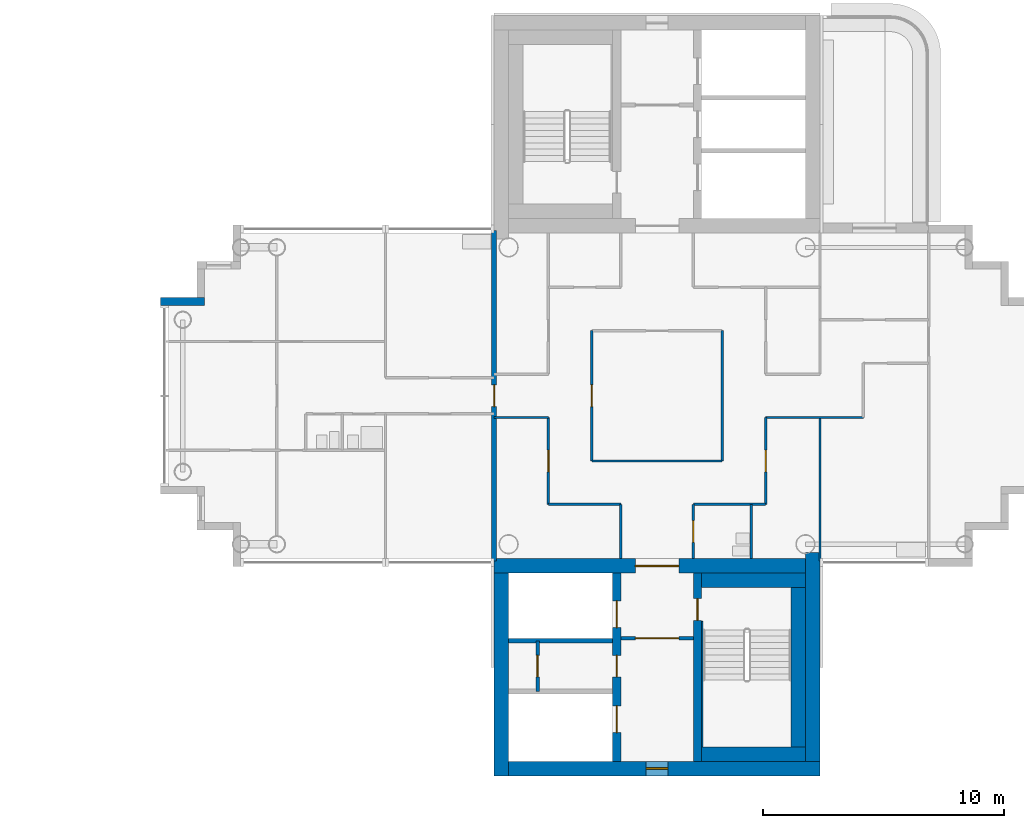
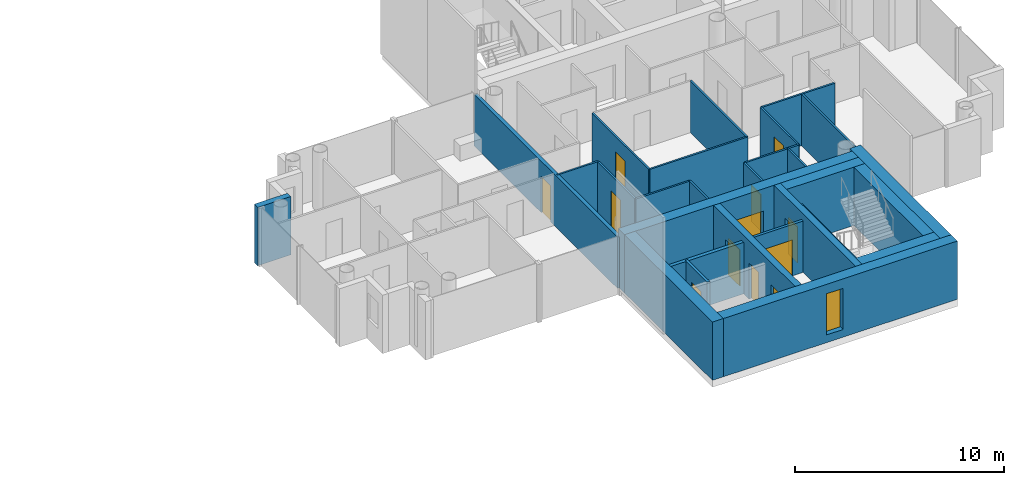
# One storey, part 9 of 18: 28 walls, 12 doors, 1 window, 13 openings.
"""IFC4 building model written with IfcOpenShell, lengths in metres."""

from ifc_helpers import new_model, si_unit, direction, frame, frame_2d, origin, place, context, subcontext, project, spatial, rectangle, extrude, material, layer, layer_set, type_object, element, fill, save


model = new_model("IFC4")

# Units and contexts
model_context = context("Model", 3, precision=1e-05, world=origin(), true_north=direction((0.0, 1.0)))
body_context = subcontext(model_context, "Body", "Model", "MODEL_VIEW")
ifc_project = project(units=[si_unit("LENGTHUNIT", "METRE"), si_unit("AREAUNIT", "SQUARE_METRE"), si_unit("VOLUMEUNIT", "CUBIC_METRE"), si_unit("PLANEANGLEUNIT", "RADIAN"), si_unit("MASSUNIT", "GRAM", prefix="KILO")], contexts=[model_context])

# Site, building, storey
site_placement = place(None, origin())
site = spatial("IfcSite", under=ifc_project, at=site_placement, CompositionType="ELEMENT")
building_placement = place(site_placement, origin())
building = spatial("IfcBuilding", under=site, at=building_placement, Name="Ipe Terrace Towers", CompositionType="ELEMENT")
storey_placement = place(building_placement, frame((0.0, 0.0, 219.800048828125)))
storey = spatial("IfcBuildingStorey", under=building, at=storey_placement, Name="L61", CompositionType="ELEMENT", Elevation=219.800048828125)

# Walls
ifc_material_1 = material(Name="Concrete C40/50 with buff precast cladding", Category="concrete")
ifc_layer_1 = layer(ifc_material_1, 0.320068359375)
ifc_layer_set_1 = layer_set([ifc_layer_1], Name="BUFF CLADDING WALL 320")
wall_type_1 = type_object("IfcWallType", Name="BUFF CLADDING WALL 320", PredefinedType="STANDARD", material=ifc_layer_set_1)
wall_1_placement = place(storey_placement, frame((17.25, 3.909912109375, -0.300048828125), z_axis=(0.0, 0.0, 1.0), x_axis=(-1.0, 0.0, 0.0)))
element("IfcWall", 1, at=wall_1_placement, inside=storey, type_object=wall_type_1, Name="T2-W-L61-25a wall", PredefinedType="STANDARD", context=body_context, shape_type="SweptSolid", body=[
    extrude(rectangle(XDim=1.820068359375, YDim=0.320068359375, at=frame_2d((0.91015625, 0.0))), origin(), (0.0, 0.0, 1.0), 3.39990234375),
])
ifc_material_2 = material(Name="Gypsum board partition", Category="plasterboard")
ifc_layer_2 = layer(ifc_material_2, 0.10009765625)
ifc_layer_set_2 = layer_set([ifc_layer_2], Name="Gypsum board partition 100 mm")
wall_type_2 = type_object("IfcWallType", Name="Gypsum board partition 100 mm", PredefinedType="PARTITIONING", material=ifc_layer_set_2)
for number, where, z_axis, x_axis, name in (
    (2, (40.5, -4.5, 0.0), (0.0, 0.0, 1.0), (-1.0, 0.0, 0.0), "Gypsum board partition T2 L61 W01"),
    (3, (34.5, -4.5, 0.0), (0.0, 0.0, 1.0), (-1.0, 0.0, 0.0), "Gypsum board partition T2 L61 W02"),
):
    element("IfcWall", number, at=place(storey_placement, frame(where, z_axis=z_axis, x_axis=x_axis)), inside=storey, type_object=wall_type_2, Name=name, PredefinedType="PARTITIONING", context=body_context, shape_type="SweptSolid", body=[
        extrude(rectangle(XDim=3.0, YDim=0.10009765625, at=frame_2d((1.5, 0.0))), origin(), (0.0, 0.0, 1.0), 3.0),
    ])
wall_2_placement = place(storey_placement, frame((38.699951171875, -2.699951171875, 0.0), z_axis=(0.0, 0.0, 1.0), x_axis=(-1.0, 0.0, 0.0)))
element("IfcWall", 4, at=wall_2_placement, inside=storey, type_object=wall_type_2, Name="Gypsum board partition T2 L61 W03", PredefinedType="PARTITIONING", context=body_context, shape_type="SweptSolid", body=[
    extrude(rectangle(XDim=5.39990234375, YDim=0.10009765625, at=frame_2d((2.699951171875, 0.0))), origin(), (0.0, 0.0, 1.0), 3.0),
])
wall_3_placement = place(storey_placement, frame((44.550048828125, -0.89990234375, 0.0), z_axis=(0.0, 0.0, 1.0), x_axis=(-1.0, 0.0, 0.0)))
element("IfcWall", 5, at=wall_3_placement, inside=storey, type_object=wall_type_2, Name="Gypsum board partition T2 L61 W05", PredefinedType="PARTITIONING", context=body_context, shape_type="SweptSolid", body=[
    extrude(rectangle(XDim=4.050048828125, YDim=0.10009765625, at=frame_2d((2.02490234375, 0.0))), origin(), (0.0, 0.0, 1.0), 3.0),
])
wall_4_placement = place(storey_placement, frame((31.5, -0.89990234375, 0.0), z_axis=(0.0, 0.0, 1.0), x_axis=(-1.0, 0.0, 0.0)))
element("IfcWall", 6, at=wall_4_placement, inside=storey, type_object=wall_type_2, Name="Gypsum board partition T2 L61 W06", PredefinedType="PARTITIONING", context=body_context, shape_type="SweptSolid", body=[
    extrude(rectangle(XDim=2.25, YDim=0.10009765625, at=frame_2d((1.125, 0.0))), origin(), (0.0, 0.0, 1.0), 3.0),
])
wall_5_placement = place(storey_placement, frame((42.75, -6.85009765625, 0.0), z_axis=(0.0, 0.0, 1.0), x_axis=(0.0, 1.0, 0.0)))
element("IfcWall", 7, at=wall_5_placement, inside=storey, type_object=wall_type_2, Name="Gypsum board partition T2 L61 W19", PredefinedType="PARTITIONING", context=body_context, shape_type="SweptSolid", body=[
    extrude(rectangle(XDim=5.9501953125, YDim=0.10009765625, at=frame_2d((2.97509765625, 0.0))), origin(), (0.0, 0.0, 1.0), 3.0),
])

# Wall, opening, door
wall_6_placement = place(storey_placement, frame((40.5, -4.5, 0.0), z_axis=(0.0, 0.0, 1.0), x_axis=(0.0, 1.0, 0.0)))
wall_6 = element("IfcWall", 8, at=wall_6_placement, inside=storey, type_object=wall_type_2, Name="Gypsum board partition T2 L61 W21", PredefinedType="PARTITIONING", context=body_context, shape_type="SweptSolid", body=[
    extrude(rectangle(XDim=3.60009765625, YDim=0.10009765625, at=frame_2d((1.800048828125, 0.0))), origin(), (0.0, 0.0, 1.0), 3.0),
])
opening_1_placement = place(wall_6_placement, frame((1.35009765625, 0.0, 0.0)))
opening_1 = element("IfcOpeningElement", 9, at=opening_1_placement, cuts=wall_6, Name="Opening T2-Z4F-07", PredefinedType="OPENING", context=body_context, shape_type="SweptSolid", body=[
    extrude(rectangle(XDim=0.89990234375, YDim=2.10009765625, at=frame_2d((0.449951171875, 1.050048828125))), frame((0.0, 0.06005859375, 0.0), z_axis=(0.0, -1.0, 0.0), x_axis=(1.0, 0.0, 0.0)), (0.0, 0.0, 1.0), 0.1201171875),
])
ifc_material_3 = material(Name="Timber door leaf", Category="wood")
door_type_1 = type_object("IfcDoorType", Name="Lounge door 900 x 2100", OperationType="NOTDEFINED", PredefinedType="DOOR", material=ifc_material_3)
door_1_placement = place(opening_1_placement, origin())
door_1 = element("IfcDoor", 10, at=door_1_placement, inside=storey, type_object=door_type_1, Name="Lounge door T2-Z4F-07", OperationType="SINGLE_SWING_LEFT", OverallHeight=2.10009765625, OverallWidth=0.89990234375, PredefinedType="DOOR", context=body_context, shape_type="SweptSolid", body=[
    extrude(rectangle(XDim=0.89990234375, YDim=2.10009765625, at=frame_2d((0.449951171875, 1.050048828125))), frame((0.0, 0.02490234375, 0.0), z_axis=(0.0, -1.0, 0.0), x_axis=(1.0, 0.0, 0.0)), (0.0, 0.0, 1.0), 0.050048828125),
])
fill(opening_1, door_1)

# Walls
wall_7_placement = place(storey_placement, frame((39.89990234375, -6.75, 0.0), z_axis=(0.0, 0.0, 1.0), x_axis=(0.0, 1.0, 0.0)))
element("IfcWall", 11, at=wall_7_placement, inside=storey, type_object=wall_type_2, Name="Gypsum board partition T2 L61 W23", PredefinedType="PARTITIONING", context=body_context, shape_type="SweptSolid", body=[
    extrude(rectangle(XDim=2.25, YDim=0.10009765625, at=frame_2d((1.125, 0.0))), origin(), (0.0, 0.0, 1.0), 3.0),
])
wall_8_placement = place(storey_placement, frame((38.699951171875, -2.699951171875, 0.0), z_axis=(0.0, 0.0, 1.0), x_axis=(0.0, 1.0, 0.0)))
element("IfcWall", 12, at=wall_8_placement, inside=storey, type_object=wall_type_2, Name="Gypsum board partition T2 L61 W24", PredefinedType="PARTITIONING", context=body_context, shape_type="SweptSolid", body=[
    extrude(rectangle(XDim=5.39990234375, YDim=0.10009765625, at=frame_2d((2.699951171875, 0.0))), origin(), (0.0, 0.0, 1.0), 3.0),
])

# Wall, opening, door
wall_9_placement = place(storey_placement, frame((37.5, -6.75, 0.0), z_axis=(0.0, 0.0, 1.0), x_axis=(0.0, 1.0, 0.0)))
wall_9 = element("IfcWall", 13, at=wall_9_placement, inside=storey, type_object=wall_type_2, Name="Gypsum board partition T2 L61 W25", PredefinedType="PARTITIONING", context=body_context, shape_type="SweptSolid", body=[
    extrude(rectangle(XDim=2.25, YDim=0.10009765625, at=frame_2d((1.125, 0.0))), origin(), (0.0, 0.0, 1.0), 3.0),
])
opening_2_placement = place(wall_9_placement, frame((0.675048828125, 0.0, 0.0)))
opening_2 = element("IfcOpeningElement", 14, at=opening_2_placement, cuts=wall_9, Name="Opening T2-Z4F-03", PredefinedType="OPENING", context=body_context, shape_type="SweptSolid", body=[
    extrude(rectangle(XDim=0.89990234375, YDim=2.10009765625, at=frame_2d((0.449951171875, 1.050048828125))), frame((0.0, 0.06005859375, 0.0), z_axis=(0.0, -1.0, 0.0), x_axis=(1.0, 0.0, 0.0)), (0.0, 0.0, 1.0), 0.1201171875),
])
ifc_material_4 = material(Name="Timber door leaf", Category="wood")
door_type_2 = type_object("IfcDoorType", Name="Bathroom door 900 x 2100", OperationType="NOTDEFINED", PredefinedType="DOOR", material=ifc_material_4)
door_2_placement = place(opening_2_placement, origin())
door_2 = element("IfcDoor", 15, at=door_2_placement, inside=storey, type_object=door_type_2, Name="Bathroom door T2-Z4F-03", OperationType="SINGLE_SWING_RIGHT", OverallHeight=2.10009765625, OverallWidth=0.89990234375, PredefinedType="DOOR", context=body_context, shape_type="SweptSolid", body=[
    extrude(rectangle(XDim=0.89990234375, YDim=2.10009765625, at=frame_2d((0.449951171875, 1.050048828125))), frame((0.0, 0.02490234375, 0.0), z_axis=(0.0, -1.0, 0.0), x_axis=(1.0, 0.0, 0.0)), (0.0, 0.0, 1.0), 0.050048828125),
])
fill(opening_2, door_2)

# Wall
wall_10_placement = place(storey_placement, frame((34.5, -6.75, 0.0), z_axis=(0.0, 0.0, 1.0), x_axis=(0.0, 1.0, 0.0)))
element("IfcWall", 16, at=wall_10_placement, inside=storey, type_object=wall_type_2, Name="Gypsum board partition T2 L61 W27", PredefinedType="PARTITIONING", context=body_context, shape_type="SweptSolid", body=[
    extrude(rectangle(XDim=2.25, YDim=0.10009765625, at=frame_2d((1.125, 0.0))), origin(), (0.0, 0.0, 1.0), 3.0),
])

# Wall, opening, door
wall_11_placement = place(storey_placement, frame((33.300048828125, -2.699951171875, 0.0), z_axis=(0.0, 0.0, 1.0), x_axis=(0.0, 1.0, 0.0)))
wall_11 = element("IfcWall", 17, at=wall_11_placement, inside=storey, type_object=wall_type_2, Name="Gypsum board partition T2 L61 W29", PredefinedType="PARTITIONING", context=body_context, shape_type="SweptSolid", body=[
    extrude(rectangle(XDim=5.39990234375, YDim=0.10009765625, at=frame_2d((2.699951171875, 0.0))), origin(), (0.0, 0.0, 1.0), 3.0),
])
opening_3_placement = place(wall_11_placement, frame((2.25, 0.0, 0.0)))
opening_3 = element("IfcOpeningElement", 18, at=opening_3_placement, cuts=wall_11, Name="Opening T2-Z4F-01", PredefinedType="OPENING", context=body_context, shape_type="SweptSolid", body=[
    extrude(rectangle(XDim=0.89990234375, YDim=2.10009765625, at=frame_2d((0.449951171875, 1.050048828125))), frame((0.0, 0.06005859375, 0.0), z_axis=(0.0, -1.0, 0.0), x_axis=(1.0, 0.0, 0.0)), (0.0, 0.0, 1.0), 0.1201171875),
])
door_3_placement = place(opening_3_placement, origin())
door_3 = element("IfcDoor", 19, at=door_3_placement, inside=storey, type_object=door_type_1, Name="Lounge door T2-Z4F-01", OperationType="SINGLE_SWING_RIGHT", OverallHeight=2.10009765625, OverallWidth=0.89990234375, PredefinedType="DOOR", context=body_context, shape_type="SweptSolid", body=[
    extrude(rectangle(XDim=0.89990234375, YDim=2.10009765625, at=frame_2d((0.449951171875, 1.050048828125))), frame((0.0, 0.02490234375, 0.0), z_axis=(0.0, -1.0, 0.0), x_axis=(1.0, 0.0, 0.0)), (0.0, 0.0, 1.0), 0.050048828125),
])
fill(opening_3, door_3)

wall_12_placement = place(storey_placement, frame((31.5, -4.5, 0.0), z_axis=(0.0, 0.0, 1.0), x_axis=(0.0, 1.0, 0.0)))
wall_12 = element("IfcWall", 20, at=wall_12_placement, inside=storey, type_object=wall_type_2, Name="Gypsum board partition T2 L61 W30", PredefinedType="PARTITIONING", context=body_context, shape_type="SweptSolid", body=[
    extrude(rectangle(XDim=3.60009765625, YDim=0.10009765625, at=frame_2d((1.800048828125, 0.0))), origin(), (0.0, 0.0, 1.0), 3.0),
])
opening_4_placement = place(wall_12_placement, frame((1.35009765625, 0.0, 0.0)))
opening_4 = element("IfcOpeningElement", 21, at=opening_4_placement, cuts=wall_12, Name="Opening T2-Z4F-06", PredefinedType="OPENING", context=body_context, shape_type="SweptSolid", body=[
    extrude(rectangle(XDim=0.89990234375, YDim=2.10009765625, at=frame_2d((0.449951171875, 1.050048828125))), frame((0.0, 0.06005859375, 0.0), z_axis=(0.0, -1.0, 0.0), x_axis=(1.0, 0.0, 0.0)), (0.0, 0.0, 1.0), 0.1201171875),
])
door_4_placement = place(opening_4_placement, origin())
door_4 = element("IfcDoor", 22, at=door_4_placement, inside=storey, type_object=door_type_1, Name="Lounge door T2-Z4F-06", OperationType="SINGLE_SWING_LEFT", OverallHeight=2.10009765625, OverallWidth=0.89990234375, PredefinedType="DOOR", context=body_context, shape_type="SweptSolid", body=[
    extrude(rectangle(XDim=0.89990234375, YDim=2.10009765625, at=frame_2d((0.449951171875, 1.050048828125))), frame((0.0, 0.02490234375, 0.0), z_axis=(0.0, -1.0, 0.0), x_axis=(1.0, 0.0, 0.0)), (0.0, 0.0, 1.0), 0.050048828125),
])
fill(opening_4, door_4)

ifc_material_5 = material(Name="Gypsum board partition", Category="plasterboard")
ifc_layer_3 = layer(ifc_material_5, 0.14990234375)
ifc_layer_set_3 = layer_set([ifc_layer_3], Name="Gypsum board partition 150 mm")
wall_type_3 = type_object("IfcWallType", Name="Gypsum board partition 150 mm", PredefinedType="PARTITIONING", material=ifc_layer_set_3)
wall_13_placement = place(storey_placement, frame((34.5, -10.050048828125, 0.0), z_axis=(0.0, 0.0, 1.0), x_axis=(1.0, 0.0, 0.0)))
wall_13 = element("IfcWall", 23, at=wall_13_placement, inside=storey, type_object=wall_type_3, Name="Gypsum board partition T2 L61 t2c2-lobby-wall", PredefinedType="PARTITIONING", context=body_context, shape_type="SweptSolid", body=[
    extrude(rectangle(XDim=3.0, YDim=0.14990234375, at=frame_2d((1.5, 0.0))), origin(), (0.0, 0.0, 1.0), 3.0),
])
opening_5_placement = place(wall_13_placement, frame((0.60009765625, 0.0, 0.0)))
opening_5 = element("IfcOpeningElement", 24, at=opening_5_placement, cuts=wall_13, Name="Opening T2C2-VD", PredefinedType="OPENING", context=body_context, shape_type="SweptSolid", body=[
    extrude(rectangle(XDim=1.800048828125, YDim=2.10009765625, at=frame_2d((0.89990234375, 1.050048828125))), frame((0.0, 0.0849609375, 0.0), z_axis=(0.0, -1.0, 0.0), x_axis=(1.0, 0.0, 0.0)), (0.0, 0.0, 1.0), 0.169921875),
])
ifc_material_6 = material(Name="Fire-rated timber door leaf", Category="wood")
door_type_3 = type_object("IfcDoorType", Name="Lobby door 1800 x 2100 FD60", OperationType="NOTDEFINED", PredefinedType="DOOR", material=ifc_material_6)
door_5_placement = place(opening_5_placement, origin())
door_5 = element("IfcDoor", 25, at=door_5_placement, inside=storey, type_object=door_type_3, Name="Lobby door T2C2-VD", OperationType="SINGLE_SWING_LEFT", OverallHeight=2.10009765625, OverallWidth=1.800048828125, PredefinedType="DOOR", context=body_context, shape_type="SweptSolid", body=[
    extrude(rectangle(XDim=1.800048828125, YDim=2.10009765625, at=frame_2d((0.89990234375, 1.050048828125))), frame((0.0, 0.02490234375, 0.0), z_axis=(0.0, -1.0, 0.0), x_axis=(1.0, 0.0, 0.0)), (0.0, 0.0, 1.0), 0.050048828125),
])
fill(opening_5, door_5)

wall_14_placement = place(storey_placement, frame((31.050048828125, -10.14990234375, 0.0), z_axis=(0.0, 0.0, 1.0), x_axis=(0.0, -1.0, 0.0)))
wall_14 = element("IfcWall", 26, at=wall_14_placement, inside=storey, type_object=wall_type_3, Name="Gypsum board partition T2 L61 t2c2-q-back", PredefinedType="PARTITIONING", context=body_context, shape_type="SweptSolid", body=[
    extrude(rectangle(XDim=2.10009765625, YDim=0.14990234375, at=frame_2d((1.050048828125, 0.0))), origin(), (0.0, 0.0, 1.0), 3.0),
])
opening_6_placement = place(wall_14_placement, frame((0.60009765625, 0.0, 0.0)))
opening_6 = element("IfcOpeningElement", 27, at=opening_6_placement, cuts=wall_14, Name="Opening T2C2-RB", PredefinedType="OPENING", context=body_context, shape_type="SweptSolid", body=[
    extrude(rectangle(XDim=0.89990234375, YDim=2.10009765625, at=frame_2d((0.449951171875, 1.050048828125))), frame((0.0, 0.0849609375, 0.0), z_axis=(0.0, -1.0, 0.0), x_axis=(1.0, 0.0, 0.0)), (0.0, 0.0, 1.0), 0.169921875),
])
ifc_material_7 = material(Name="Fire-rated timber door leaf", Category="wood")
door_type_4 = type_object("IfcDoorType", Name="Service door 900 x 2100 FD60", OperationType="NOTDEFINED", PredefinedType="DOOR", material=ifc_material_7)
door_6_placement = place(opening_6_placement, origin())
door_6 = element("IfcDoor", 28, at=door_6_placement, inside=storey, type_object=door_type_4, Name="Service door T2C2-RB", OperationType="SINGLE_SWING_LEFT", OverallHeight=2.10009765625, OverallWidth=0.89990234375, PredefinedType="DOOR", context=body_context, shape_type="SweptSolid", body=[
    extrude(rectangle(XDim=0.89990234375, YDim=2.10009765625, at=frame_2d((0.449951171875, 1.050048828125))), frame((0.0, 0.02490234375, 0.0), z_axis=(0.0, -1.0, 0.0), x_axis=(1.0, 0.0, 0.0)), (0.0, 0.0, 1.0), 0.050048828125),
])
fill(opening_6, door_6)

# Wall
ifc_material_8 = material(Name="Gypsum board party wall", Category="plasterboard")
ifc_layer_4 = layer(ifc_material_8, 0.199951171875)
ifc_layer_set_4 = layer_set([ifc_layer_4], Name="Gypsum board party wall 200 mm")
wall_type_4 = type_object("IfcWallType", Name="Gypsum board party wall 200 mm", PredefinedType="SOLIDWALL", material=ifc_layer_set_4)
wall_15_placement = place(storey_placement, frame((29.85009765625, -10.14990234375, 0.0), z_axis=(0.0, 0.0, 1.0), x_axis=(1.0, 0.0, 0.0)))
element("IfcWall", 29, at=wall_15_placement, inside=storey, type_object=wall_type_4, Name="Gypsum board party wall T2 L61 t2c2-shaft-div1", PredefinedType="SOLIDWALL", context=body_context, shape_type="SweptSolid", body=[
    extrude(rectangle(XDim=4.2998046875, YDim=0.199951171875, at=frame_2d((2.14990234375, 0.0))), origin(), (0.0, 0.0, 1.0), 3.0),
])

# Wall, opening, door
wall_16_placement = place(storey_placement, frame((29.25, -6.85009765625, 0.0), z_axis=(0.0, 0.0, 1.0), x_axis=(0.0, 1.0, 0.0)))
wall_16 = element("IfcWall", 30, at=wall_16_placement, inside=storey, type_object=wall_type_4, Name="Gypsum board party wall T2 L61 W32", PredefinedType="SOLIDWALL", context=body_context, shape_type="SweptSolid", body=[
    extrude(rectangle(XDim=13.7001953125, YDim=0.199951171875, at=frame_2d((6.85009765625, 0.0))), origin(), (0.0, 0.0, 1.0), 3.0),
])
opening_7_placement = place(wall_16_placement, frame((6.39990234375, 0.0, 0.0)))
opening_7 = element("IfcOpeningElement", 31, at=opening_7_placement, cuts=wall_16, Name="Opening T2-Z4F-12", PredefinedType="OPENING", context=body_context, shape_type="SweptSolid", body=[
    extrude(rectangle(XDim=0.89990234375, YDim=2.10009765625, at=frame_2d((0.449951171875, 1.050048828125))), frame((0.0, 0.10986328125, 0.0), z_axis=(0.0, -1.0, 0.0), x_axis=(1.0, 0.0, 0.0)), (0.0, 0.0, 1.0), 0.219970703125),
])
ifc_material_9 = material(Name="Fire-rated timber door leaf", Category="wood")
door_type_5 = type_object("IfcDoorType", Name="Flat entrance door 900 x 2100 FD30S", OperationType="NOTDEFINED", PredefinedType="DOOR", material=ifc_material_9)
door_7_placement = place(opening_7_placement, origin())
door_7 = element("IfcDoor", 32, at=door_7_placement, inside=storey, type_object=door_type_5, Name="Flat entrance door T2-Z4F-12", OperationType="SINGLE_SWING_LEFT", OverallHeight=2.10009765625, OverallWidth=0.89990234375, PredefinedType="DOOR", context=body_context, shape_type="SweptSolid", body=[
    extrude(rectangle(XDim=0.89990234375, YDim=2.10009765625, at=frame_2d((0.449951171875, 1.050048828125))), frame((0.0, 0.02490234375, 0.0), z_axis=(0.0, -1.0, 0.0), x_axis=(1.0, 0.0, 0.0)), (0.0, 0.0, 1.0), 0.050048828125),
])
fill(opening_7, door_7)

# Wall, openings, doors
ifc_material_10 = material(Name="Concrete C40/50", Category="concrete")
ifc_layer_5 = layer(ifc_material_10, 0.35009765625)
ifc_layer_set_5 = layer_set([ifc_layer_5], Name="RW350 CORE SPINE WALL 350 C40-50")
wall_type_5 = type_object("IfcWallType", Name="RW350 CORE SPINE WALL 350 C40-50", PredefinedType="SHEAR", material=ifc_layer_set_5)
wall_17_placement = place(storey_placement, frame((34.324951171875, -15.14990234375, 0.0), z_axis=(0.0, 0.0, 1.0), x_axis=(0.0, 1.0, 0.0)))
wall_17 = element("IfcWall", 33, at=wall_17_placement, inside=storey, type_object=wall_type_5, Name="Core spine wall T2-C2-Z4-SW1", PredefinedType="SHEAR", context=body_context, shape_type="SweptSolid", body=[
    extrude(rectangle(XDim=7.7998046875, YDim=0.35009765625, at=frame_2d((3.89990234375, 0.0))), origin(), (0.0, 0.0, 1.0), 3.39990234375),
])
opening_8_placement = place(wall_17_placement, frame((5.550048828125, 0.0, 0.0)))
opening_8 = element("IfcOpeningElement", 34, at=opening_8_placement, cuts=wall_17, Name="Opening T2C2-LD1", PredefinedType="OPENING", context=body_context, shape_type="SweptSolid", body=[
    extrude(rectangle(XDim=1.10009765625, YDim=2.10009765625, at=frame_2d((0.550048828125, 1.050048828125))), frame((0.0, 0.18505859375, 0.0), z_axis=(0.0, -1.0, 0.0), x_axis=(1.0, 0.0, 0.0)), (0.0, 0.0, 1.0), 0.3701171875),
])
opening_9_placement = place(wall_17_placement, frame((1.199951171875, 0.0, 0.0)))
opening_9 = element("IfcOpeningElement", 35, at=opening_9_placement, cuts=wall_17, Name="Opening T2C2-LD3", PredefinedType="OPENING", context=body_context, shape_type="SweptSolid", body=[
    extrude(rectangle(XDim=1.10009765625, YDim=2.10009765625, at=frame_2d((0.550048828125, 1.050048828125))), frame((0.0, 0.18505859375, 0.0), z_axis=(0.0, -1.0, 0.0), x_axis=(1.0, 0.0, 0.0)), (0.0, 0.0, 1.0), 0.3701171875),
])
opening_10_placement = place(wall_17_placement, frame((3.5, 0.0, 0.0)))
opening_10 = element("IfcOpeningElement", 36, at=opening_10_placement, cuts=wall_17, Name="Opening T2C2-R1-FD30S", PredefinedType="OPENING", context=body_context, shape_type="SweptSolid", body=[
    extrude(rectangle(XDim=0.89990234375, YDim=2.10009765625, at=frame_2d((0.449951171875, 1.050048828125))), frame((0.0, 0.18505859375, 0.0), z_axis=(0.0, -1.0, 0.0), x_axis=(1.0, 0.0, 0.0)), (0.0, 0.0, 1.0), 0.3701171875),
])
ifc_material_11 = material(Name="Fire-rated timber door leaf", Category="wood")
door_type_6 = type_object("IfcDoorType", Name="Sliding door 1100 x 2100 FD60", OperationType="SLIDING_TO_LEFT", PredefinedType="DOOR", material=ifc_material_11)
door_8_placement = place(opening_8_placement, origin())
door_8 = element("IfcDoor", 37, at=door_8_placement, inside=storey, type_object=door_type_6, Name="Sliding door T2C2-LD1", OperationType="SLIDING_TO_LEFT", OverallHeight=2.10009765625, OverallWidth=1.10009765625, PredefinedType="DOOR", context=body_context, shape_type="SweptSolid", body=[
    extrude(rectangle(XDim=1.10009765625, YDim=2.10009765625, at=frame_2d((0.550048828125, 1.050048828125))), frame((0.0, 0.02490234375, 0.0), z_axis=(0.0, -1.0, 0.0), x_axis=(1.0, 0.0, 0.0)), (0.0, 0.0, 1.0), 0.050048828125),
])
fill(opening_8, door_8)
door_9_placement = place(opening_9_placement, origin())
door_9 = element("IfcDoor", 38, at=door_9_placement, inside=storey, type_object=door_type_6, Name="Sliding door T2C2-LD3", OperationType="SLIDING_TO_LEFT", OverallHeight=2.10009765625, OverallWidth=1.10009765625, PredefinedType="DOOR", context=body_context, shape_type="SweptSolid", body=[
    extrude(rectangle(XDim=1.10009765625, YDim=2.10009765625, at=frame_2d((0.550048828125, 1.050048828125))), frame((0.0, 0.02490234375, 0.0), z_axis=(0.0, -1.0, 0.0), x_axis=(1.0, 0.0, 0.0)), (0.0, 0.0, 1.0), 0.050048828125),
])
fill(opening_9, door_9)
ifc_material_12 = material(Name="Fire-rated timber door leaf", Category="wood")
door_type_7 = type_object("IfcDoorType", Name="Store door 900 x 2100 FD30S", OperationType="NOTDEFINED", PredefinedType="DOOR", material=ifc_material_12)
door_10_placement = place(opening_10_placement, origin())
door_10 = element("IfcDoor", 39, at=door_10_placement, inside=storey, type_object=door_type_7, Name="Store door T2C2-R1-FD30S", OperationType="SINGLE_SWING_LEFT", OverallHeight=2.10009765625, OverallWidth=0.89990234375, PredefinedType="DOOR", context=body_context, shape_type="SweptSolid", body=[
    extrude(rectangle(XDim=0.89990234375, YDim=2.10009765625, at=frame_2d((0.449951171875, 1.050048828125))), frame((0.0, 0.02490234375, 0.0), z_axis=(0.0, -1.0, 0.0), x_axis=(1.0, 0.0, 0.0)), (0.0, 0.0, 1.0), 0.050048828125),
])
fill(opening_10, door_10)

# Wall, opening, door
wall_18_placement = place(storey_placement, frame((37.675048828125, -15.14990234375, 0.0), z_axis=(0.0, 0.0, 1.0), x_axis=(0.0, 1.0, 0.0)))
wall_18 = element("IfcWall", 40, at=wall_18_placement, inside=storey, type_object=wall_type_5, Name="Core spine wall T2-C2-Z4-SW2", PredefinedType="SHEAR", context=body_context, shape_type="SweptSolid", body=[
    extrude(rectangle(XDim=7.7998046875, YDim=0.35009765625, at=frame_2d((3.89990234375, 0.0))), origin(), (0.0, 0.0, 1.0), 3.39990234375),
])
opening_11_placement = place(wall_18_placement, frame((5.85009765625, 0.0, 0.0)))
opening_11 = element("IfcOpeningElement", 41, at=opening_11_placement, cuts=wall_18, Name="Opening T2C2-SD", PredefinedType="OPENING", context=body_context, shape_type="SweptSolid", body=[
    extrude(rectangle(XDim=0.89990234375, YDim=2.10009765625, at=frame_2d((0.449951171875, 1.050048828125))), frame((0.0, 0.18505859375, 0.0), z_axis=(0.0, -1.0, 0.0), x_axis=(1.0, 0.0, 0.0)), (0.0, 0.0, 1.0), 0.3701171875),
])
ifc_material_13 = material(Name="Fire-rated timber door leaf", Category="wood")
door_type_8 = type_object("IfcDoorType", Name="Stair door 900 x 2100 FD60", OperationType="NOTDEFINED", PredefinedType="DOOR", material=ifc_material_13)
door_11_placement = place(opening_11_placement, origin())
door_11 = element("IfcDoor", 42, at=door_11_placement, inside=storey, type_object=door_type_8, Name="Stair door T2C2-SD", OperationType="SINGLE_SWING_RIGHT", OverallHeight=2.10009765625, OverallWidth=0.89990234375, PredefinedType="DOOR", context=body_context, shape_type="SweptSolid", body=[
    extrude(rectangle(XDim=0.89990234375, YDim=2.10009765625, at=frame_2d((0.449951171875, 1.050048828125))), frame((0.0, 0.02490234375, 0.0), z_axis=(0.0, -1.0, 0.0), x_axis=(1.0, 0.0, 0.0)), (0.0, 0.0, 1.0), 0.050048828125),
])
fill(opening_11, door_11)

# Walls
ifc_material_14 = material(Name="Concrete C40/50", Category="concrete")
ifc_layer_6 = layer(ifc_material_14, 0.050048828125)
ifc_layer_set_6 = layer_set([ifc_layer_6], Name="RW50 CORE INFILL WALL 50 C40-50")
wall_type_6 = type_object("IfcWallType", Name="RW50 CORE INFILL WALL 50 C40-50", PredefinedType="SHEAR", material=ifc_layer_set_6)
wall_19_placement = place(storey_placement, frame((37.875, -9.35009765625, 0.0), z_axis=(0.0, 0.0, 1.0), x_axis=(0.0, -1.0, 0.0)))
element("IfcWall", 43, at=wall_19_placement, inside=storey, type_object=wall_type_6, Name="Core infill wall T2-C2-spine-b", PredefinedType="SHEAR", context=body_context, shape_type="SweptSolid", body=[
    extrude(rectangle(XDim=5.199951171875, YDim=0.050048828125, at=frame_2d((2.60009765625, 0.0))), origin(), (0.0, 0.0, 1.0), 3.39990234375),
])
ifc_material_15 = material(Name="Concrete C40/50", Category="concrete")
ifc_layer_7 = layer(ifc_material_15, 0.60009765625)
ifc_layer_set_7 = layer_set([ifc_layer_7], Name="RW600 CORE INFILL WALL 600 C40-50")
wall_type_7 = type_object("IfcWallType", Name="RW600 CORE INFILL WALL 600 C40-50", PredefinedType="SHEAR", material=ifc_layer_set_7)
wall_20_placement = place(storey_placement, frame((37.85009765625, -14.85009765625, 0.0), z_axis=(0.0, 0.0, 1.0), x_axis=(1.0, 0.0, 0.0)))
element("IfcWall", 44, at=wall_20_placement, inside=storey, type_object=wall_type_7, Name="Core infill wall T2-C2-far", PredefinedType="SHEAR", context=body_context, shape_type="SweptSolid", body=[
    extrude(rectangle(XDim=4.2998046875, YDim=0.60009765625, at=frame_2d((2.14990234375, 0.0))), origin(), (0.0, 0.0, 1.0), 3.39990234375),
])
wall_21_placement = place(storey_placement, frame((41.85009765625, -7.949951171875, 0.0), z_axis=(0.0, 0.0, 1.0), x_axis=(0.0, -1.0, 0.0)))
element("IfcWall", 45, at=wall_21_placement, inside=storey, type_object=wall_type_7, Name="Core infill wall T2-C2-back", PredefinedType="SHEAR", context=body_context, shape_type="SweptSolid", body=[
    extrude(rectangle(XDim=6.60009765625, YDim=0.60009765625, at=frame_2d((3.300048828125, 0.0))), origin(), (0.0, 0.0, 1.0), 3.39990234375),
])
wall_22_placement = place(storey_placement, frame((37.85009765625, -7.64990234375, 0.0), z_axis=(0.0, 0.0, 1.0), x_axis=(1.0, 0.0, 0.0)))
element("IfcWall", 46, at=wall_22_placement, inside=storey, type_object=wall_type_7, Name="Core infill wall T2-C2-near", PredefinedType="SHEAR", context=body_context, shape_type="SweptSolid", body=[
    extrude(rectangle(XDim=4.2998046875, YDim=0.60009765625, at=frame_2d((2.14990234375, 0.0))), origin(), (0.0, 0.0, 1.0), 3.39990234375),
])

# Wall, opening, window
ifc_material_16 = material(Name="Concrete C40/50", Category="concrete")
ifc_layer_8 = layer(ifc_material_16, 0.60009765625)
ifc_layer_set_8 = layer_set([ifc_layer_8], Name="RW600 CORE WALL 600 C40-50")
wall_type_8 = type_object("IfcWallType", Name="RW600 CORE WALL 600 C40-50", PredefinedType="SHEAR", material=ifc_layer_set_8)
wall_23_placement = place(storey_placement, frame((29.85009765625, -15.449951171875, 0.0), z_axis=(0.0, 0.0, 1.0), x_axis=(1.0, 0.0, 0.0)))
wall_23 = element("IfcWall", 47, at=wall_23_placement, inside=storey, type_object=wall_type_8, Name="Core wall T2-C2-Z4-W01", PredefinedType="SHEAR", context=body_context, shape_type="SweptSolid", body=[
    extrude(rectangle(XDim=12.89990234375, YDim=0.60009765625, at=frame_2d((6.449951171875, 0.0))), origin(), (0.0, 0.0, 1.0), 3.39990234375),
])
opening_12_placement = place(wall_23_placement, frame((5.699951171875, 0.0, 0.449951171875)))
opening_12 = element("IfcOpeningElement", 48, at=opening_12_placement, cuts=wall_23, Name="Opening T2-C2-W-01-L61", PredefinedType="OPENING", context=body_context, shape_type="SweptSolid", body=[
    extrude(rectangle(XDim=0.89990234375, YDim=2.39990234375, at=frame_2d((0.449951171875, 1.199951171875))), frame((0.0, 0.31005859375, 0.0), z_axis=(0.0, -1.0, 0.0), x_axis=(1.0, 0.0, 0.0)), (0.0, 0.0, 1.0), 0.6201171875),
])
ifc_material_17 = material(Name="Fire-resistant glazing EI 60", Category="glass")
window_type = type_object("IfcWindowType", Name="CORRIDOR END SLOT WINDOW 900 x 2400 EI 60", PartitioningType="SINGLE_PANEL", PredefinedType="WINDOW", material=ifc_material_17)
window_placement = place(opening_12_placement, origin())
window = element("IfcWindow", 49, at=window_placement, inside=storey, type_object=window_type, Name="W-01 window", OverallHeight=2.39990234375, OverallWidth=0.89990234375, PartitioningType="SINGLE_PANEL", PredefinedType="WINDOW", context=body_context, shape_type="SweptSolid", body=[
    extrude(rectangle(XDim=0.89990234375, YDim=2.39990234375, at=frame_2d((0.449951171875, 1.199951171875))), frame((0.0, 0.030029296875, 0.0), z_axis=(0.0, -1.0, 0.0), x_axis=(1.0, 0.0, 0.0)), (0.0, 0.0, 1.0), 0.06005859375),
])
fill(opening_12, window)

# Wall
wall_24_placement = place(storey_placement, frame((42.449951171875, -15.14990234375, 0.0), z_axis=(0.0, 0.0, 1.0), x_axis=(0.0, 1.0, 0.0)))
element("IfcWall", 50, at=wall_24_placement, inside=storey, type_object=wall_type_8, Name="Core wall T2-C2-Z4-W02", PredefinedType="SHEAR", context=body_context, shape_type="SweptSolid", body=[
    extrude(rectangle(XDim=8.64794921875, YDim=0.60009765625, at=frame_2d((4.323974609375, 0.0))), origin(), (0.0, 0.0, 1.0), 3.39990234375),
])

# Wall, opening, door
wall_25_placement = place(storey_placement, frame((42.14990234375, -7.050048828125, 0.0), z_axis=(0.0, 0.0, 1.0), x_axis=(-1.0, 0.0, 0.0)))
wall_25 = element("IfcWall", 51, at=wall_25_placement, inside=storey, type_object=wall_type_8, Name="Core wall T2-C2-Z4-W03", PredefinedType="SHEAR", context=body_context, shape_type="SweptSolid", body=[
    extrude(rectangle(XDim=12.89990234375, YDim=0.60009765625, at=frame_2d((6.449951171875, 0.0))), origin(), (0.0, 0.0, 1.0), 3.39990234375),
])
opening_13_placement = place(wall_25_placement, frame((5.25, 0.0, 0.0)))
opening_13 = element("IfcOpeningElement", 52, at=opening_13_placement, cuts=wall_25, Name="Opening T2C2-ND", PredefinedType="OPENING", context=body_context, shape_type="SweptSolid", body=[
    extrude(rectangle(XDim=1.800048828125, YDim=2.10009765625, at=frame_2d((0.89990234375, 1.050048828125))), frame((0.0, 0.31005859375, 0.0), z_axis=(0.0, -1.0, 0.0), x_axis=(1.0, 0.0, 0.0)), (0.0, 0.0, 1.0), 0.6201171875),
])
ifc_material_18 = material(Name="Fire-rated timber door leaf", Category="wood")
door_type_9 = type_object("IfcDoorType", Name="Fire door 1800 x 2100 FD30S", OperationType="NOTDEFINED", PredefinedType="DOOR", material=ifc_material_18)
door_12_placement = place(opening_13_placement, origin())
door_12 = element("IfcDoor", 53, at=door_12_placement, inside=storey, type_object=door_type_9, Name="Fire door T2C2-ND", OperationType="SINGLE_SWING_LEFT", OverallHeight=2.10009765625, OverallWidth=1.800048828125, PredefinedType="DOOR", context=body_context, shape_type="SweptSolid", body=[
    extrude(rectangle(XDim=1.800048828125, YDim=2.10009765625, at=frame_2d((0.89990234375, 1.050048828125))), frame((0.0, 0.02490234375, 0.0), z_axis=(0.0, -1.0, 0.0), x_axis=(1.0, 0.0, 0.0)), (0.0, 0.0, 1.0), 0.050048828125),
])
fill(opening_13, door_12)

# Wall
wall_26_placement = place(storey_placement, frame((29.550048828125, -7.35009765625, 0.0), z_axis=(0.0, 0.0, 1.0), x_axis=(0.0, -1.0, 0.0)))
element("IfcWall", 54, at=wall_26_placement, inside=storey, type_object=wall_type_8, Name="Core wall T2-C2-Z4-W04", PredefinedType="SHEAR", context=body_context, shape_type="SweptSolid", body=[
    extrude(rectangle(XDim=8.39990234375, YDim=0.60009765625, at=frame_2d((4.199951171875, 0.0))), origin(), (0.0, 0.0, 1.0), 3.39990234375),
])

save(model, "model.ifc")
